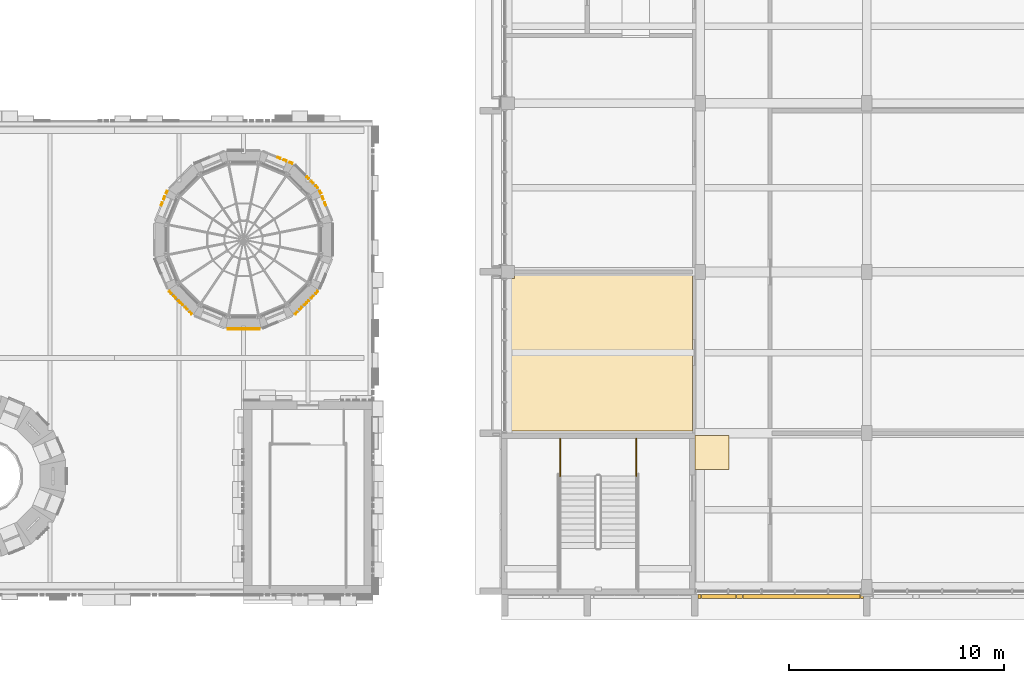
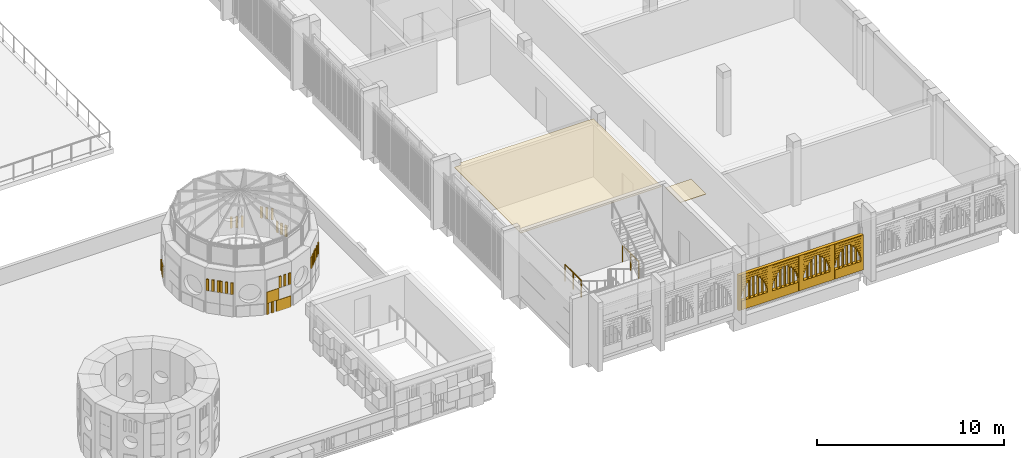
# One storey, part 88 of 98: 4 coverings, 2 railings.
"""IFC4 building model written with IfcOpenShell, lengths in metres."""

from ifc_helpers import new_model, si_unit, direction, frame, origin, origin_2d, place, context, subcontext, project, spatial, polyline, rectangle, circle, outline, extrude, material, layer, layer_set, type_object, element, save


model = new_model("IFC4")

# Units and contexts
model_context = context("Model", 3, precision=1e-05, world=origin(), true_north=direction((0.0, 1.0)))
body_context = subcontext(model_context, "Body", "Model", "MODEL_VIEW")
ifc_project = project(units=[si_unit("LENGTHUNIT", "METRE"), si_unit("AREAUNIT", "SQUARE_METRE"), si_unit("VOLUMEUNIT", "CUBIC_METRE"), si_unit("PLANEANGLEUNIT", "RADIAN"), si_unit("MASSUNIT", "GRAM", prefix="KILO")], contexts=[model_context])

# Site, building, storey
site_placement = place(None, origin())
site = spatial("IfcSite", under=ifc_project, at=site_placement, CompositionType="ELEMENT")
building_placement = place(site_placement, origin())
building = spatial("IfcBuilding", under=site, at=building_placement, Name="Sun Court Science Centre", CompositionType="ELEMENT")
storey_placement = place(building_placement, frame((0.0, 0.0, 15.75)))
storey = spatial("IfcBuildingStorey", under=building, at=storey_placement, Name="L03", CompositionType="ELEMENT", Elevation=15.75)

# Coverings
ifc_material_1 = material(Name="Red sandstone", Category="masonry")
ifc_layer_1 = layer(ifc_material_1, 0.199951171875)
ifc_layer_set_1 = layer_set([ifc_layer_1], Name="Red sandstone")
covering_type_1 = type_object("IfcCoveringType", Name="Arched jali screen 200", PredefinedType="CLADDING", material=ifc_layer_set_1)
covering_1_placement = place(storey_placement, frame((0.0, 0.0, -15.75)))
element("IfcCovering", 1, at=covering_1_placement, inside=storey, type_object=covering_type_1, Name="Arched jali screen south L03 03", PredefinedType="CLADDING", context=body_context, shape_type="SweptSolid", body=[
    extrude(rectangle(XDim=0.139892578125, YDim=0.199951171875, at=origin_2d()), frame((87.22509765625, 5.89990234375, 16.054931640625), z_axis=(0.0, 0.0, 1.0), x_axis=(1.0, 0.0, 0.0)), (0.0, 0.0, 1.0), 2.29736328125),
    extrude(rectangle(XDim=0.2900390625, YDim=0.199951171875, at=origin_2d()), frame((89.074951171875, 5.89990234375, 16.054931640625), z_axis=(0.0, 0.0, 1.0), x_axis=(1.0, 0.0, 0.0)), (0.0, 0.0, 1.0), 2.29736328125),
    extrude(rectangle(XDim=0.2900390625, YDim=0.199951171875, at=origin_2d()), frame((91.0, 5.89990234375, 16.054931640625), z_axis=(0.0, 0.0, 1.0), x_axis=(1.0, 0.0, 0.0)), (0.0, 0.0, 1.0), 2.29736328125),
    extrude(rectangle(XDim=0.2900390625, YDim=0.199951171875, at=origin_2d()), frame((92.925048828125, 5.89990234375, 16.054931640625), z_axis=(0.0, 0.0, 1.0), x_axis=(1.0, 0.0, 0.0)), (0.0, 0.0, 1.0), 2.29736328125),
    extrude(rectangle(XDim=0.139892578125, YDim=0.199951171875, at=origin_2d()), frame((94.77490234375, 5.89990234375, 16.054931640625), z_axis=(0.0, 0.0, 1.0), x_axis=(1.0, 0.0, 0.0)), (0.0, 0.0, 1.0), 2.29736328125),
    extrude(rectangle(XDim=1.614990234375, YDim=0.199951171875, at=origin_2d()), frame((88.112548828125, 5.89990234375, 16.05517578125), z_axis=(0.0, 0.0, 1.0), x_axis=(1.0, 0.0, 0.0)), (0.0, 0.0, 1.0), 0.590087890625),
    extrude(rectangle(XDim=0.033935546875, YDim=0.199951171875, at=origin_2d()), frame((87.322021484375, 5.89990234375, 16.955078125), z_axis=(0.0, 0.0, 1.0), x_axis=(1.0, 0.0, 0.0)), (0.0, 0.0, 1.0), 0.139892578125),
    extrude(rectangle(XDim=0.033935546875, YDim=0.199951171875, at=origin_2d()), frame((88.903076171875, 5.89990234375, 16.955078125), z_axis=(0.0, 0.0, 1.0), x_axis=(1.0, 0.0, 0.0)), (0.0, 0.0, 1.0), 0.139892578125),
    extrude(rectangle(XDim=0.0771484375, YDim=0.199951171875, at=origin_2d()), frame((87.343505859375, 5.89990234375, 17.10498046875), z_axis=(0.0, 0.0, 1.0), x_axis=(1.0, 0.0, 0.0)), (0.0, 0.0, 1.0), 0.139892578125),
    extrude(rectangle(XDim=0.0771484375, YDim=0.199951171875, at=origin_2d()), frame((88.88134765625, 5.89990234375, 17.10498046875), z_axis=(0.0, 0.0, 1.0), x_axis=(1.0, 0.0, 0.0)), (0.0, 0.0, 1.0), 0.139892578125),
    extrude(rectangle(XDim=0.13671875, YDim=0.199951171875, at=origin_2d()), frame((87.373291015625, 5.89990234375, 17.2548828125), z_axis=(0.0, 0.0, 1.0), x_axis=(1.0, 0.0, 0.0)), (0.0, 0.0, 1.0), 0.139892578125),
    extrude(rectangle(XDim=0.13671875, YDim=0.199951171875, at=origin_2d()), frame((88.8515625, 5.89990234375, 17.2548828125), z_axis=(0.0, 0.0, 1.0), x_axis=(1.0, 0.0, 0.0)), (0.0, 0.0, 1.0), 0.139892578125),
    extrude(rectangle(XDim=0.215087890625, YDim=0.199951171875, at=origin_2d()), frame((87.41259765625, 5.89990234375, 17.4052734375), z_axis=(0.0, 0.0, 1.0), x_axis=(1.0, 0.0, 0.0)), (0.0, 0.0, 1.0), 0.139892578125),
    extrude(rectangle(XDim=0.215087890625, YDim=0.199951171875, at=origin_2d()), frame((88.8125, 5.89990234375, 17.4052734375), z_axis=(0.0, 0.0, 1.0), x_axis=(1.0, 0.0, 0.0)), (0.0, 0.0, 1.0), 0.139892578125),
    extrude(rectangle(XDim=0.31494140625, YDim=0.199951171875, at=origin_2d()), frame((87.46240234375, 5.89990234375, 17.55517578125), z_axis=(0.0, 0.0, 1.0), x_axis=(1.0, 0.0, 0.0)), (0.0, 0.0, 1.0), 0.139892578125),
    extrude(rectangle(XDim=0.31494140625, YDim=0.199951171875, at=origin_2d()), frame((88.762451171875, 5.89990234375, 17.55517578125), z_axis=(0.0, 0.0, 1.0), x_axis=(1.0, 0.0, 0.0)), (0.0, 0.0, 1.0), 0.139892578125),
    extrude(rectangle(XDim=0.4423828125, YDim=0.199951171875, at=origin_2d()), frame((87.526123046875, 5.89990234375, 17.705078125), z_axis=(0.0, 0.0, 1.0), x_axis=(1.0, 0.0, 0.0)), (0.0, 0.0, 1.0), 0.139892578125),
    extrude(rectangle(XDim=0.4423828125, YDim=0.199951171875, at=origin_2d()), frame((88.69873046875, 5.89990234375, 17.705078125), z_axis=(0.0, 0.0, 1.0), x_axis=(1.0, 0.0, 0.0)), (0.0, 0.0, 1.0), 0.139892578125),
    extrude(rectangle(XDim=0.607421875, YDim=0.199951171875, at=origin_2d()), frame((87.608642578125, 5.89990234375, 17.85498046875), z_axis=(0.0, 0.0, 1.0), x_axis=(1.0, 0.0, 0.0)), (0.0, 0.0, 1.0), 0.139892578125),
    extrude(rectangle(XDim=0.607421875, YDim=0.199951171875, at=origin_2d()), frame((88.6162109375, 5.89990234375, 17.85498046875), z_axis=(0.0, 0.0, 1.0), x_axis=(1.0, 0.0, 0.0)), (0.0, 0.0, 1.0), 0.139892578125),
    extrude(rectangle(XDim=1.614990234375, YDim=0.199951171875, at=origin_2d()), frame((88.112548828125, 5.89990234375, 18.0048828125), z_axis=(0.0, 0.0, 1.0), x_axis=(1.0, 0.0, 0.0)), (0.0, 0.0, 1.0), 0.139892578125),
    extrude(rectangle(XDim=1.614990234375, YDim=0.199951171875, at=origin_2d()), frame((88.112548828125, 5.89990234375, 18.1552734375), z_axis=(0.0, 0.0, 1.0), x_axis=(1.0, 0.0, 0.0)), (0.0, 0.0, 1.0), 0.139892578125),
    extrude(rectangle(XDim=1.614990234375, YDim=0.199951171875, at=origin_2d()), frame((88.112548828125, 5.89990234375, 18.304931640625), z_axis=(0.0, 0.0, 1.0), x_axis=(1.0, 0.0, 0.0)), (0.0, 0.0, 1.0), 0.04736328125),
    extrude(rectangle(XDim=0.0400390625, YDim=0.199951171875, at=origin_2d()), frame((87.57080078125, 5.89990234375, 16.655029296875), z_axis=(0.0, 0.0, 1.0), x_axis=(1.0, 0.0, 0.0)), (0.0, 0.0, 1.0), 0.88818359375),
    extrude(rectangle(XDim=0.0400390625, YDim=0.199951171875, at=origin_2d()), frame((87.841552734375, 5.89990234375, 16.655029296875), z_axis=(0.0, 0.0, 1.0), x_axis=(1.0, 0.0, 0.0)), (0.0, 0.0, 1.0), 1.201171875),
    extrude(rectangle(XDim=0.0400390625, YDim=0.199951171875, at=origin_2d()), frame((88.112548828125, 5.89990234375, 16.6552734375), z_axis=(0.0, 0.0, 1.0), x_axis=(1.0, 0.0, 0.0)), (0.0, 0.0, 1.0), 1.397216796875),
    extrude(rectangle(XDim=0.0400390625, YDim=0.199951171875, at=origin_2d()), frame((88.38330078125, 5.89990234375, 16.655029296875), z_axis=(0.0, 0.0, 1.0), x_axis=(1.0, 0.0, 0.0)), (0.0, 0.0, 1.0), 1.201171875),
    extrude(rectangle(XDim=0.0400390625, YDim=0.199951171875, at=origin_2d()), frame((88.654052734375, 5.89990234375, 16.655029296875), z_axis=(0.0, 0.0, 1.0), x_axis=(1.0, 0.0, 0.0)), (0.0, 0.0, 1.0), 0.88818359375),
    extrude(rectangle(XDim=1.614990234375, YDim=0.199951171875, at=origin_2d()), frame((90.03759765625, 5.89990234375, 16.05517578125), z_axis=(0.0, 0.0, 1.0), x_axis=(1.0, 0.0, 0.0)), (0.0, 0.0, 1.0), 0.590087890625),
    extrude(rectangle(XDim=0.033935546875, YDim=0.199951171875, at=origin_2d()), frame((89.246826171875, 5.89990234375, 16.955078125), z_axis=(0.0, 0.0, 1.0), x_axis=(1.0, 0.0, 0.0)), (0.0, 0.0, 1.0), 0.139892578125),
    extrude(rectangle(XDim=0.033935546875, YDim=0.199951171875, at=origin_2d()), frame((90.828125, 5.89990234375, 16.955078125), z_axis=(0.0, 0.0, 1.0), x_axis=(1.0, 0.0, 0.0)), (0.0, 0.0, 1.0), 0.139892578125),
    extrude(rectangle(XDim=0.0771484375, YDim=0.199951171875, at=origin_2d()), frame((89.2685546875, 5.89990234375, 17.10498046875), z_axis=(0.0, 0.0, 1.0), x_axis=(1.0, 0.0, 0.0)), (0.0, 0.0, 1.0), 0.139892578125),
    extrude(rectangle(XDim=0.0771484375, YDim=0.199951171875, at=origin_2d()), frame((90.806396484375, 5.89990234375, 17.10498046875), z_axis=(0.0, 0.0, 1.0), x_axis=(1.0, 0.0, 0.0)), (0.0, 0.0, 1.0), 0.139892578125),
    extrude(rectangle(XDim=0.13671875, YDim=0.199951171875, at=origin_2d()), frame((89.29833984375, 5.89990234375, 17.2548828125), z_axis=(0.0, 0.0, 1.0), x_axis=(1.0, 0.0, 0.0)), (0.0, 0.0, 1.0), 0.139892578125),
    extrude(rectangle(XDim=0.13671875, YDim=0.199951171875, at=origin_2d()), frame((90.776611328125, 5.89990234375, 17.2548828125), z_axis=(0.0, 0.0, 1.0), x_axis=(1.0, 0.0, 0.0)), (0.0, 0.0, 1.0), 0.139892578125),
    extrude(rectangle(XDim=0.215087890625, YDim=0.199951171875, at=origin_2d()), frame((89.33740234375, 5.89990234375, 17.4052734375), z_axis=(0.0, 0.0, 1.0), x_axis=(1.0, 0.0, 0.0)), (0.0, 0.0, 1.0), 0.139892578125),
    extrude(rectangle(XDim=0.215087890625, YDim=0.199951171875, at=origin_2d()), frame((90.737548828125, 5.89990234375, 17.4052734375), z_axis=(0.0, 0.0, 1.0), x_axis=(1.0, 0.0, 0.0)), (0.0, 0.0, 1.0), 0.139892578125),
    extrude(rectangle(XDim=0.31494140625, YDim=0.199951171875, at=origin_2d()), frame((89.387451171875, 5.89990234375, 17.55517578125), z_axis=(0.0, 0.0, 1.0), x_axis=(1.0, 0.0, 0.0)), (0.0, 0.0, 1.0), 0.139892578125),
    extrude(rectangle(XDim=0.31494140625, YDim=0.199951171875, at=origin_2d()), frame((90.6875, 5.89990234375, 17.55517578125), z_axis=(0.0, 0.0, 1.0), x_axis=(1.0, 0.0, 0.0)), (0.0, 0.0, 1.0), 0.139892578125),
    extrude(rectangle(XDim=0.4423828125, YDim=0.199951171875, at=origin_2d()), frame((89.451171875, 5.89990234375, 17.705078125), z_axis=(0.0, 0.0, 1.0), x_axis=(1.0, 0.0, 0.0)), (0.0, 0.0, 1.0), 0.139892578125),
    extrude(rectangle(XDim=0.4423828125, YDim=0.199951171875, at=origin_2d()), frame((90.623779296875, 5.89990234375, 17.705078125), z_axis=(0.0, 0.0, 1.0), x_axis=(1.0, 0.0, 0.0)), (0.0, 0.0, 1.0), 0.139892578125),
    extrude(rectangle(XDim=0.607421875, YDim=0.199951171875, at=origin_2d()), frame((89.53369140625, 5.89990234375, 17.85498046875), z_axis=(0.0, 0.0, 1.0), x_axis=(1.0, 0.0, 0.0)), (0.0, 0.0, 1.0), 0.139892578125),
    extrude(rectangle(XDim=0.607421875, YDim=0.199951171875, at=origin_2d()), frame((90.541259765625, 5.89990234375, 17.85498046875), z_axis=(0.0, 0.0, 1.0), x_axis=(1.0, 0.0, 0.0)), (0.0, 0.0, 1.0), 0.139892578125),
    extrude(rectangle(XDim=1.614990234375, YDim=0.199951171875, at=origin_2d()), frame((90.03759765625, 5.89990234375, 18.0048828125), z_axis=(0.0, 0.0, 1.0), x_axis=(1.0, 0.0, 0.0)), (0.0, 0.0, 1.0), 0.139892578125),
    extrude(rectangle(XDim=1.614990234375, YDim=0.199951171875, at=origin_2d()), frame((90.03759765625, 5.89990234375, 18.1552734375), z_axis=(0.0, 0.0, 1.0), x_axis=(1.0, 0.0, 0.0)), (0.0, 0.0, 1.0), 0.139892578125),
    extrude(rectangle(XDim=1.614990234375, YDim=0.199951171875, at=origin_2d()), frame((90.03759765625, 5.89990234375, 18.304931640625), z_axis=(0.0, 0.0, 1.0), x_axis=(1.0, 0.0, 0.0)), (0.0, 0.0, 1.0), 0.04736328125),
    extrude(rectangle(XDim=0.0400390625, YDim=0.199951171875, at=origin_2d()), frame((89.495849609375, 5.89990234375, 16.655029296875), z_axis=(0.0, 0.0, 1.0), x_axis=(1.0, 0.0, 0.0)), (0.0, 0.0, 1.0), 0.88818359375),
    extrude(rectangle(XDim=0.0400390625, YDim=0.199951171875, at=origin_2d()), frame((89.7666015625, 5.89990234375, 16.655029296875), z_axis=(0.0, 0.0, 1.0), x_axis=(1.0, 0.0, 0.0)), (0.0, 0.0, 1.0), 1.201171875),
    extrude(rectangle(XDim=0.0400390625, YDim=0.199951171875, at=origin_2d()), frame((90.03759765625, 5.89990234375, 16.6552734375), z_axis=(0.0, 0.0, 1.0), x_axis=(1.0, 0.0, 0.0)), (0.0, 0.0, 1.0), 1.397216796875),
    extrude(rectangle(XDim=0.0400390625, YDim=0.199951171875, at=origin_2d()), frame((90.308349609375, 5.89990234375, 16.655029296875), z_axis=(0.0, 0.0, 1.0), x_axis=(1.0, 0.0, 0.0)), (0.0, 0.0, 1.0), 1.201171875),
    extrude(rectangle(XDim=0.0400390625, YDim=0.199951171875, at=origin_2d()), frame((90.5791015625, 5.89990234375, 16.655029296875), z_axis=(0.0, 0.0, 1.0), x_axis=(1.0, 0.0, 0.0)), (0.0, 0.0, 1.0), 0.88818359375),
    extrude(rectangle(XDim=1.614990234375, YDim=0.199951171875, at=origin_2d()), frame((91.96240234375, 5.89990234375, 16.05517578125), z_axis=(0.0, 0.0, 1.0), x_axis=(1.0, 0.0, 0.0)), (0.0, 0.0, 1.0), 0.590087890625),
    extrude(rectangle(XDim=0.033935546875, YDim=0.199951171875, at=origin_2d()), frame((91.171875, 5.89990234375, 16.955078125), z_axis=(0.0, 0.0, 1.0), x_axis=(1.0, 0.0, 0.0)), (0.0, 0.0, 1.0), 0.139892578125),
    extrude(rectangle(XDim=0.033935546875, YDim=0.199951171875, at=origin_2d()), frame((92.753173828125, 5.89990234375, 16.955078125), z_axis=(0.0, 0.0, 1.0), x_axis=(1.0, 0.0, 0.0)), (0.0, 0.0, 1.0), 0.139892578125),
    extrude(rectangle(XDim=0.0771484375, YDim=0.199951171875, at=origin_2d()), frame((91.193603515625, 5.89990234375, 17.10498046875), z_axis=(0.0, 0.0, 1.0), x_axis=(1.0, 0.0, 0.0)), (0.0, 0.0, 1.0), 0.139892578125),
    extrude(rectangle(XDim=0.0771484375, YDim=0.199951171875, at=origin_2d()), frame((92.7314453125, 5.89990234375, 17.10498046875), z_axis=(0.0, 0.0, 1.0), x_axis=(1.0, 0.0, 0.0)), (0.0, 0.0, 1.0), 0.139892578125),
    extrude(rectangle(XDim=0.13671875, YDim=0.199951171875, at=origin_2d()), frame((91.223388671875, 5.89990234375, 17.2548828125), z_axis=(0.0, 0.0, 1.0), x_axis=(1.0, 0.0, 0.0)), (0.0, 0.0, 1.0), 0.139892578125),
    extrude(rectangle(XDim=0.13671875, YDim=0.199951171875, at=origin_2d()), frame((92.70166015625, 5.89990234375, 17.2548828125), z_axis=(0.0, 0.0, 1.0), x_axis=(1.0, 0.0, 0.0)), (0.0, 0.0, 1.0), 0.139892578125),
    extrude(rectangle(XDim=0.215087890625, YDim=0.199951171875, at=origin_2d()), frame((91.262451171875, 5.89990234375, 17.4052734375), z_axis=(0.0, 0.0, 1.0), x_axis=(1.0, 0.0, 0.0)), (0.0, 0.0, 1.0), 0.139892578125),
    extrude(rectangle(XDim=0.215087890625, YDim=0.199951171875, at=origin_2d()), frame((92.66259765625, 5.89990234375, 17.4052734375), z_axis=(0.0, 0.0, 1.0), x_axis=(1.0, 0.0, 0.0)), (0.0, 0.0, 1.0), 0.139892578125),
    extrude(rectangle(XDim=0.31494140625, YDim=0.199951171875, at=origin_2d()), frame((91.3125, 5.89990234375, 17.55517578125), z_axis=(0.0, 0.0, 1.0), x_axis=(1.0, 0.0, 0.0)), (0.0, 0.0, 1.0), 0.139892578125),
    extrude(rectangle(XDim=0.31494140625, YDim=0.199951171875, at=origin_2d()), frame((92.612548828125, 5.89990234375, 17.55517578125), z_axis=(0.0, 0.0, 1.0), x_axis=(1.0, 0.0, 0.0)), (0.0, 0.0, 1.0), 0.139892578125),
    extrude(rectangle(XDim=0.4423828125, YDim=0.199951171875, at=origin_2d()), frame((91.376220703125, 5.89990234375, 17.705078125), z_axis=(0.0, 0.0, 1.0), x_axis=(1.0, 0.0, 0.0)), (0.0, 0.0, 1.0), 0.139892578125),
    extrude(rectangle(XDim=0.4423828125, YDim=0.199951171875, at=origin_2d()), frame((92.548828125, 5.89990234375, 17.705078125), z_axis=(0.0, 0.0, 1.0), x_axis=(1.0, 0.0, 0.0)), (0.0, 0.0, 1.0), 0.139892578125),
    extrude(rectangle(XDim=0.607421875, YDim=0.199951171875, at=origin_2d()), frame((91.458740234375, 5.89990234375, 17.85498046875), z_axis=(0.0, 0.0, 1.0), x_axis=(1.0, 0.0, 0.0)), (0.0, 0.0, 1.0), 0.139892578125),
    extrude(rectangle(XDim=0.607421875, YDim=0.199951171875, at=origin_2d()), frame((92.46630859375, 5.89990234375, 17.85498046875), z_axis=(0.0, 0.0, 1.0), x_axis=(1.0, 0.0, 0.0)), (0.0, 0.0, 1.0), 0.139892578125),
    extrude(rectangle(XDim=1.614990234375, YDim=0.199951171875, at=origin_2d()), frame((91.96240234375, 5.89990234375, 18.0048828125), z_axis=(0.0, 0.0, 1.0), x_axis=(1.0, 0.0, 0.0)), (0.0, 0.0, 1.0), 0.139892578125),
    extrude(rectangle(XDim=1.614990234375, YDim=0.199951171875, at=origin_2d()), frame((91.96240234375, 5.89990234375, 18.1552734375), z_axis=(0.0, 0.0, 1.0), x_axis=(1.0, 0.0, 0.0)), (0.0, 0.0, 1.0), 0.139892578125),
    extrude(rectangle(XDim=1.614990234375, YDim=0.199951171875, at=origin_2d()), frame((91.96240234375, 5.89990234375, 18.304931640625), z_axis=(0.0, 0.0, 1.0), x_axis=(1.0, 0.0, 0.0)), (0.0, 0.0, 1.0), 0.04736328125),
    extrude(rectangle(XDim=0.0400390625, YDim=0.199951171875, at=origin_2d()), frame((91.4208984375, 5.89990234375, 16.655029296875), z_axis=(0.0, 0.0, 1.0), x_axis=(1.0, 0.0, 0.0)), (0.0, 0.0, 1.0), 0.88818359375),
    extrude(rectangle(XDim=0.0400390625, YDim=0.199951171875, at=origin_2d()), frame((91.691650390625, 5.89990234375, 16.655029296875), z_axis=(0.0, 0.0, 1.0), x_axis=(1.0, 0.0, 0.0)), (0.0, 0.0, 1.0), 1.201171875),
    extrude(rectangle(XDim=0.0400390625, YDim=0.199951171875, at=origin_2d()), frame((91.96240234375, 5.89990234375, 16.6552734375), z_axis=(0.0, 0.0, 1.0), x_axis=(1.0, 0.0, 0.0)), (0.0, 0.0, 1.0), 1.397216796875),
    extrude(rectangle(XDim=0.0400390625, YDim=0.199951171875, at=origin_2d()), frame((92.2333984375, 5.89990234375, 16.655029296875), z_axis=(0.0, 0.0, 1.0), x_axis=(1.0, 0.0, 0.0)), (0.0, 0.0, 1.0), 1.201171875),
    extrude(rectangle(XDim=0.0400390625, YDim=0.199951171875, at=origin_2d()), frame((92.504150390625, 5.89990234375, 16.655029296875), z_axis=(0.0, 0.0, 1.0), x_axis=(1.0, 0.0, 0.0)), (0.0, 0.0, 1.0), 0.88818359375),
    extrude(rectangle(XDim=1.614990234375, YDim=0.199951171875, at=origin_2d()), frame((93.887451171875, 5.89990234375, 16.05517578125), z_axis=(0.0, 0.0, 1.0), x_axis=(1.0, 0.0, 0.0)), (0.0, 0.0, 1.0), 0.590087890625),
    extrude(rectangle(XDim=0.033935546875, YDim=0.199951171875, at=origin_2d()), frame((93.096923828125, 5.89990234375, 16.955078125), z_axis=(0.0, 0.0, 1.0), x_axis=(1.0, 0.0, 0.0)), (0.0, 0.0, 1.0), 0.139892578125),
    extrude(rectangle(XDim=0.033935546875, YDim=0.199951171875, at=origin_2d()), frame((94.677978515625, 5.89990234375, 16.955078125), z_axis=(0.0, 0.0, 1.0), x_axis=(1.0, 0.0, 0.0)), (0.0, 0.0, 1.0), 0.139892578125),
    extrude(rectangle(XDim=0.0771484375, YDim=0.199951171875, at=origin_2d()), frame((93.11865234375, 5.89990234375, 17.10498046875), z_axis=(0.0, 0.0, 1.0), x_axis=(1.0, 0.0, 0.0)), (0.0, 0.0, 1.0), 0.139892578125),
    extrude(rectangle(XDim=0.0771484375, YDim=0.199951171875, at=origin_2d()), frame((94.656494140625, 5.89990234375, 17.10498046875), z_axis=(0.0, 0.0, 1.0), x_axis=(1.0, 0.0, 0.0)), (0.0, 0.0, 1.0), 0.139892578125),
    extrude(rectangle(XDim=0.13671875, YDim=0.199951171875, at=origin_2d()), frame((93.1484375, 5.89990234375, 17.2548828125), z_axis=(0.0, 0.0, 1.0), x_axis=(1.0, 0.0, 0.0)), (0.0, 0.0, 1.0), 0.139892578125),
    extrude(rectangle(XDim=0.13671875, YDim=0.199951171875, at=origin_2d()), frame((94.626708984375, 5.89990234375, 17.2548828125), z_axis=(0.0, 0.0, 1.0), x_axis=(1.0, 0.0, 0.0)), (0.0, 0.0, 1.0), 0.139892578125),
    extrude(rectangle(XDim=0.215087890625, YDim=0.199951171875, at=origin_2d()), frame((93.1875, 5.89990234375, 17.4052734375), z_axis=(0.0, 0.0, 1.0), x_axis=(1.0, 0.0, 0.0)), (0.0, 0.0, 1.0), 0.139892578125),
    extrude(rectangle(XDim=0.215087890625, YDim=0.199951171875, at=origin_2d()), frame((94.58740234375, 5.89990234375, 17.4052734375), z_axis=(0.0, 0.0, 1.0), x_axis=(1.0, 0.0, 0.0)), (0.0, 0.0, 1.0), 0.139892578125),
    extrude(rectangle(XDim=0.31494140625, YDim=0.199951171875, at=origin_2d()), frame((93.237548828125, 5.89990234375, 17.55517578125), z_axis=(0.0, 0.0, 1.0), x_axis=(1.0, 0.0, 0.0)), (0.0, 0.0, 1.0), 0.139892578125),
    extrude(rectangle(XDim=0.31494140625, YDim=0.199951171875, at=origin_2d()), frame((94.53759765625, 5.89990234375, 17.55517578125), z_axis=(0.0, 0.0, 1.0), x_axis=(1.0, 0.0, 0.0)), (0.0, 0.0, 1.0), 0.139892578125),
    extrude(rectangle(XDim=0.4423828125, YDim=0.199951171875, at=origin_2d()), frame((93.30126953125, 5.89990234375, 17.705078125), z_axis=(0.0, 0.0, 1.0), x_axis=(1.0, 0.0, 0.0)), (0.0, 0.0, 1.0), 0.139892578125),
    extrude(rectangle(XDim=0.4423828125, YDim=0.199951171875, at=origin_2d()), frame((94.473876953125, 5.89990234375, 17.705078125), z_axis=(0.0, 0.0, 1.0), x_axis=(1.0, 0.0, 0.0)), (0.0, 0.0, 1.0), 0.139892578125),
    extrude(rectangle(XDim=0.607421875, YDim=0.199951171875, at=origin_2d()), frame((93.3837890625, 5.89990234375, 17.85498046875), z_axis=(0.0, 0.0, 1.0), x_axis=(1.0, 0.0, 0.0)), (0.0, 0.0, 1.0), 0.139892578125),
    extrude(rectangle(XDim=0.607421875, YDim=0.199951171875, at=origin_2d()), frame((94.391357421875, 5.89990234375, 17.85498046875), z_axis=(0.0, 0.0, 1.0), x_axis=(1.0, 0.0, 0.0)), (0.0, 0.0, 1.0), 0.139892578125),
    extrude(rectangle(XDim=1.614990234375, YDim=0.199951171875, at=origin_2d()), frame((93.887451171875, 5.89990234375, 18.0048828125), z_axis=(0.0, 0.0, 1.0), x_axis=(1.0, 0.0, 0.0)), (0.0, 0.0, 1.0), 0.139892578125),
    extrude(rectangle(XDim=1.614990234375, YDim=0.199951171875, at=origin_2d()), frame((93.887451171875, 5.89990234375, 18.1552734375), z_axis=(0.0, 0.0, 1.0), x_axis=(1.0, 0.0, 0.0)), (0.0, 0.0, 1.0), 0.139892578125),
    extrude(rectangle(XDim=1.614990234375, YDim=0.199951171875, at=origin_2d()), frame((93.887451171875, 5.89990234375, 18.304931640625), z_axis=(0.0, 0.0, 1.0), x_axis=(1.0, 0.0, 0.0)), (0.0, 0.0, 1.0), 0.04736328125),
    extrude(rectangle(XDim=0.0400390625, YDim=0.199951171875, at=origin_2d()), frame((93.345947265625, 5.89990234375, 16.655029296875), z_axis=(0.0, 0.0, 1.0), x_axis=(1.0, 0.0, 0.0)), (0.0, 0.0, 1.0), 0.88818359375),
    extrude(rectangle(XDim=0.0400390625, YDim=0.199951171875, at=origin_2d()), frame((93.61669921875, 5.89990234375, 16.655029296875), z_axis=(0.0, 0.0, 1.0), x_axis=(1.0, 0.0, 0.0)), (0.0, 0.0, 1.0), 1.201171875),
    extrude(rectangle(XDim=0.0400390625, YDim=0.199951171875, at=origin_2d()), frame((93.887451171875, 5.89990234375, 16.6552734375), z_axis=(0.0, 0.0, 1.0), x_axis=(1.0, 0.0, 0.0)), (0.0, 0.0, 1.0), 1.397216796875),
    extrude(rectangle(XDim=0.0400390625, YDim=0.199951171875, at=origin_2d()), frame((94.158447265625, 5.89990234375, 16.655029296875), z_axis=(0.0, 0.0, 1.0), x_axis=(1.0, 0.0, 0.0)), (0.0, 0.0, 1.0), 1.201171875),
    extrude(rectangle(XDim=0.0400390625, YDim=0.199951171875, at=origin_2d()), frame((94.42919921875, 5.89990234375, 16.655029296875), z_axis=(0.0, 0.0, 1.0), x_axis=(1.0, 0.0, 0.0)), (0.0, 0.0, 1.0), 0.88818359375),
])
ifc_material_2 = material(Name="Gypsum board")
ifc_layer_2 = layer(ifc_material_2, 0.030029296875)
ifc_layer_set_2 = layer_set([ifc_layer_2], Name="Gypsum board")
covering_type_2 = type_object("IfcCoveringType", Name="Ceiling suspended 600 module", PredefinedType="CEILING", material=ifc_layer_set_2)
covering_2_placement = place(storey_placement, frame((0.0, 0.0, 3.77001953125)))
element("IfcCovering", 2, at=covering_2_placement, inside=storey, type_object=covering_type_2, Name="L03-016 ceiling", PredefinedType="CEILING", context=body_context, shape_type="SweptSolid", body=[
    extrude(outline(polyline([(78.60009765625, 20.89990234375), (86.89990234375, 20.89990234375), (86.89990234375, 13.60009765625), (78.199951171875, 13.60009765625), (78.199951171875, 20.699951171875), (78.60009765625, 20.699951171875), (78.60009765625, 20.89990234375)])), origin(), (0.0, 0.0, 1.0), 0.030029296875),
])
covering_3_placement = place(storey_placement, frame((0.0, 0.0, 3.77001953125)))
element("IfcCovering", 3, at=covering_3_placement, inside=storey, type_object=covering_type_2, Name="L03-032 ceiling", PredefinedType="CEILING", context=body_context, shape_type="SweptSolid", body=[
    extrude(outline(polyline([(88.60009765625, 13.39990234375), (88.60009765625, 11.800048828125), (87.0, 11.800048828125), (87.0, 13.39990234375), (88.60009765625, 13.39990234375)])), origin(), (0.0, 0.0, 1.0), 0.030029296875),
])

# Railings
ifc_material_3 = material(Name="Steel S275", Category="steel")
railing_type = type_object("IfcRailingType", Name="Guard 1100 steel balustrade", PredefinedType="GUARDRAIL", material=ifc_material_3)
for number, where, name in (
    (4, (80.72705078125, 13.25, 0.0), "L03 SL1 stair guard 7"),
    (5, (84.27294921875, 13.25, 0.0), "L03 SL1 stair guard 8"),
):
    element("IfcRailing", number, at=place(storey_placement, frame(where)), inside=storey, type_object=railing_type, Name=name, PredefinedType="GUARDRAIL", context=body_context, shape_type="SweptSolid", body=[
        extrude(circle(Radius=0.02392578125, at=origin_2d()), frame((0.0, 0.0, 1.076171875), z_axis=(0.0, -1.0, 0.0), x_axis=(1.0, 0.0, 0.0)), (0.0, 0.0, 1.0), 1.748046875),
        extrude(circle(Radius=0.02099609375, at=origin_2d()), origin(), (0.0, 0.0, 1.0), 1.052001953125),
        extrude(circle(Radius=0.02099609375, at=origin_2d()), frame((0.0, -0.8740234375, 0.0)), (0.0, 0.0, 1.0), 1.052001953125),
        extrude(circle(Radius=0.02099609375, at=origin_2d()), frame((0.0, -1.748046875, 0.0)), (0.0, 0.0, 1.0), 1.052001953125),
    ])

# Covering
ifc_material_4 = material(Name="Terracotta jali", Category="masonry")
ifc_layer_3 = layer(ifc_material_4, 0.06005859375)
ifc_layer_set_3 = layer_set([ifc_layer_3], Name="Terracotta jali")
covering_type_3 = type_object("IfcCoveringType", Name="Terracotta open jali panel", PredefinedType="CLADDING", material=ifc_layer_set_3)
covering_4_placement = place(storey_placement, frame((0.0, 0.0, -15.75)))
element("IfcCovering", 6, at=covering_4_placement, inside=storey, type_object=covering_type_3, Name="Open jali pixel cladding cone 6 L03", PredefinedType="CLADDING", context=body_context, shape_type="SweptSolid", body=[
    extrude(rectangle(XDim=0.139892578125, YDim=0.06005859375, at=origin_2d()), frame((69.5751953125, 24.71142578125, 15.865234375), z_axis=(0.0, 0.0, 1.0), x_axis=(0.382683432365, -0.923879532511, 0.0)), (0.0, 0.0, 1.0), 0.739990234375),
    extrude(rectangle(XDim=0.139892578125, YDim=0.06005859375, at=origin_2d()), frame((69.68994140625, 24.434326171875, 15.865234375), z_axis=(0.0, 0.0, 1.0), x_axis=(0.382683432365, -0.923879532511, 0.0)), (0.0, 0.0, 1.0), 0.739990234375),
    extrude(rectangle(XDim=0.139892578125, YDim=0.06005859375, at=origin_2d()), frame((69.8046875, 24.1572265625, 15.865234375), z_axis=(0.0, 0.0, 1.0), x_axis=(0.382683432365, -0.923879532511, 0.0)), (0.0, 0.0, 1.0), 0.739990234375),
    extrude(rectangle(XDim=0.139892578125, YDim=0.06005859375, at=origin_2d()), frame((68.987060546875, 25.380859375, 16.615234375), z_axis=(0.0, 0.0, 1.0), x_axis=(0.707106781187, -0.707106781187, 0.0)), (0.0, 0.0, 1.0), 0.739990234375),
    extrude(rectangle(XDim=0.139892578125, YDim=0.06005859375, at=origin_2d()), frame((69.19921875, 25.1689453125, 16.615234375), z_axis=(0.0, 0.0, 1.0), x_axis=(0.707106781187, -0.707106781187, 0.0)), (0.0, 0.0, 1.0), 0.739990234375),
    extrude(rectangle(XDim=0.139892578125, YDim=0.06005859375, at=origin_2d()), frame((69.411376953125, 24.956787109375, 16.615234375), z_axis=(0.0, 0.0, 1.0), x_axis=(0.707106781187, -0.707106781187, 0.0)), (0.0, 0.0, 1.0), 0.739990234375),
    extrude(rectangle(XDim=0.139892578125, YDim=0.06005859375, at=origin_2d()), frame((67.6572265625, 26.3046875, 15.865234375), z_axis=(0.0, 0.0, 1.0), x_axis=(0.923879532511, -0.382683432365, 0.0)), (0.0, 0.0, 1.0), 0.739990234375),
    extrude(rectangle(XDim=0.139892578125, YDim=0.06005859375, at=origin_2d()), frame((67.934326171875, 26.18994140625, 15.865234375), z_axis=(0.0, 0.0, 1.0), x_axis=(0.923879532511, -0.382683432365, 0.0)), (0.0, 0.0, 1.0), 0.739990234375),
    extrude(rectangle(XDim=0.139892578125, YDim=0.06005859375, at=origin_2d()), frame((68.21142578125, 26.0751953125, 15.865234375), z_axis=(0.0, 0.0, 1.0), x_axis=(0.923879532511, -0.382683432365, 0.0)), (0.0, 0.0, 1.0), 0.739990234375),
    extrude(rectangle(XDim=0.139892578125, YDim=0.06005859375, at=origin_2d()), frame((62.1953125, 24.1572265625, 15.865234375), z_axis=(0.0, 0.0, 1.0), x_axis=(0.382683432365, 0.923879532511, 0.0)), (0.0, 0.0, 1.0), 0.739990234375),
    extrude(rectangle(XDim=0.139892578125, YDim=0.06005859375, at=origin_2d()), frame((62.31005859375, 24.434326171875, 15.865234375), z_axis=(0.0, 0.0, 1.0), x_axis=(0.382683432365, 0.923879532511, 0.0)), (0.0, 0.0, 1.0), 0.739990234375),
    extrude(rectangle(XDim=0.139892578125, YDim=0.06005859375, at=origin_2d()), frame((62.4248046875, 24.71142578125, 15.865234375), z_axis=(0.0, 0.0, 1.0), x_axis=(0.382683432365, 0.923879532511, 0.0)), (0.0, 0.0, 1.0), 0.739990234375),
    extrude(rectangle(XDim=0.139892578125, YDim=0.06005859375, at=origin_2d()), frame((63.543212890625, 19.088623046875, 17.365234375), z_axis=(0.0, 0.0, 1.0), x_axis=(-0.707106781187, 0.707106781187, 0.0)), (0.0, 0.0, 1.0), 0.739990234375),
    extrude(rectangle(XDim=0.139892578125, YDim=0.06005859375, at=origin_2d()), frame((63.3310546875, 19.30078125, 17.365234375), z_axis=(0.0, 0.0, 1.0), x_axis=(-0.707106781187, 0.707106781187, 0.0)), (0.0, 0.0, 1.0), 0.739990234375),
    extrude(rectangle(XDim=0.139892578125, YDim=0.06005859375, at=origin_2d()), frame((63.119140625, 19.512939453125, 17.365234375), z_axis=(0.0, 0.0, 1.0), x_axis=(-0.707106781187, 0.707106781187, 0.0)), (0.0, 0.0, 1.0), 0.739990234375),
    extrude(rectangle(XDim=0.139892578125, YDim=0.06005859375, at=origin_2d()), frame((63.012939453125, 19.619140625, 17.365234375), z_axis=(0.0, 0.0, 1.0), x_axis=(-0.707106781187, 0.707106781187, 0.0)), (0.0, 0.0, 1.0), 0.739990234375),
    extrude(rectangle(XDim=0.139892578125, YDim=0.06005859375, at=origin_2d()), frame((62.80078125, 19.8310546875, 17.365234375), z_axis=(0.0, 0.0, 1.0), x_axis=(-0.707106781187, 0.707106781187, 0.0)), (0.0, 0.0, 1.0), 0.739990234375),
    extrude(rectangle(XDim=0.139892578125, YDim=0.06005859375, at=origin_2d()), frame((62.588623046875, 20.043212890625, 17.365234375), z_axis=(0.0, 0.0, 1.0), x_axis=(-0.707106781187, 0.707106781187, 0.0)), (0.0, 0.0, 1.0), 0.739990234375),
    extrude(rectangle(XDim=0.139892578125, YDim=0.06005859375, at=origin_2d()), frame((65.925048828125, 18.3505859375, 15.865234375), z_axis=(0.0, 0.0, 1.0), x_axis=(-1.0, 0.0, 0.0)), (0.0, 0.0, 1.0), 0.739990234375),
    extrude(rectangle(XDim=0.139892578125, YDim=0.06005859375, at=origin_2d()), frame((65.625, 18.3505859375, 15.865234375), z_axis=(0.0, 0.0, 1.0), x_axis=(-1.0, 0.0, 0.0)), (0.0, 0.0, 1.0), 0.739990234375),
    extrude(rectangle(XDim=0.139892578125, YDim=0.06005859375, at=origin_2d()), frame((65.324951171875, 18.3505859375, 15.865234375), z_axis=(0.0, 0.0, 1.0), x_axis=(-1.0, 0.0, 0.0)), (0.0, 0.0, 1.0), 0.739990234375),
    extrude(rectangle(XDim=0.139892578125, YDim=0.06005859375, at=origin_2d()), frame((66.675048828125, 18.3505859375, 17.365234375), z_axis=(0.0, 0.0, 1.0), x_axis=(-1.0, 0.0, 0.0)), (0.0, 0.0, 1.0), 0.739990234375),
    extrude(rectangle(XDim=0.139892578125, YDim=0.06005859375, at=origin_2d()), frame((66.375, 18.3505859375, 17.365234375), z_axis=(0.0, 0.0, 1.0), x_axis=(-1.0, 0.0, 0.0)), (0.0, 0.0, 1.0), 0.739990234375),
    extrude(rectangle(XDim=0.139892578125, YDim=0.06005859375, at=origin_2d()), frame((66.074951171875, 18.3505859375, 17.365234375), z_axis=(0.0, 0.0, 1.0), x_axis=(-1.0, 0.0, 0.0)), (0.0, 0.0, 1.0), 0.739990234375),
    extrude(rectangle(XDim=0.139892578125, YDim=0.06005859375, at=origin_2d()), frame((69.411376953125, 20.043212890625, 17.365234375), z_axis=(0.0, 0.0, 1.0), x_axis=(-0.707106781187, -0.707106781187, 0.0)), (0.0, 0.0, 1.0), 0.739990234375),
    extrude(rectangle(XDim=0.139892578125, YDim=0.06005859375, at=origin_2d()), frame((69.19921875, 19.8310546875, 17.365234375), z_axis=(0.0, 0.0, 1.0), x_axis=(-0.707106781187, -0.707106781187, 0.0)), (0.0, 0.0, 1.0), 0.739990234375),
    extrude(rectangle(XDim=0.139892578125, YDim=0.06005859375, at=origin_2d()), frame((68.987060546875, 19.619140625, 17.365234375), z_axis=(0.0, 0.0, 1.0), x_axis=(-0.707106781187, -0.707106781187, 0.0)), (0.0, 0.0, 1.0), 0.739990234375),
    extrude(rectangle(XDim=0.139892578125, YDim=0.06005859375, at=origin_2d()), frame((68.880859375, 19.512939453125, 17.365234375), z_axis=(0.0, 0.0, 1.0), x_axis=(-0.707106781187, -0.707106781187, 0.0)), (0.0, 0.0, 1.0), 0.739990234375),
    extrude(rectangle(XDim=0.139892578125, YDim=0.06005859375, at=origin_2d()), frame((68.6689453125, 19.30078125, 17.365234375), z_axis=(0.0, 0.0, 1.0), x_axis=(-0.707106781187, -0.707106781187, 0.0)), (0.0, 0.0, 1.0), 0.739990234375),
    extrude(rectangle(XDim=0.139892578125, YDim=0.06005859375, at=origin_2d()), frame((68.456787109375, 19.088623046875, 17.365234375), z_axis=(0.0, 0.0, 1.0), x_axis=(-0.707106781187, -0.707106781187, 0.0)), (0.0, 0.0, 1.0), 0.739990234375),
    extrude(rectangle(XDim=0.739990234375, YDim=0.06005859375, at=origin_2d()), frame((66.375, 18.3505859375, 15.865234375), z_axis=(0.0, 0.0, 1.0), x_axis=(-1.0, 0.0, 0.0)), (0.0, 0.0, 1.0), 0.739990234375),
    extrude(rectangle(XDim=0.739990234375, YDim=0.06005859375, at=origin_2d()), frame((65.625, 18.3505859375, 16.615234375), z_axis=(0.0, 0.0, 1.0), x_axis=(-1.0, 0.0, 0.0)), (0.0, 0.0, 1.0), 0.739990234375),
])

save(model, "model.ifc")
